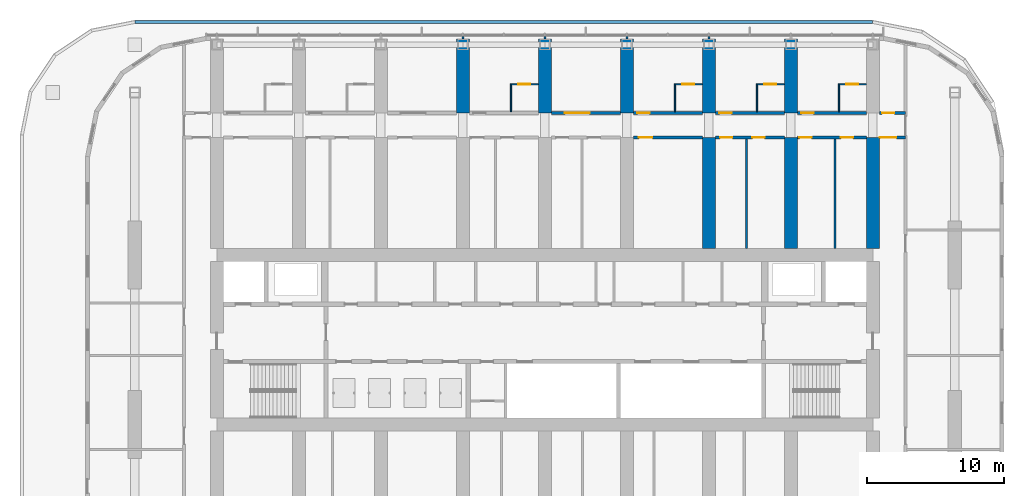
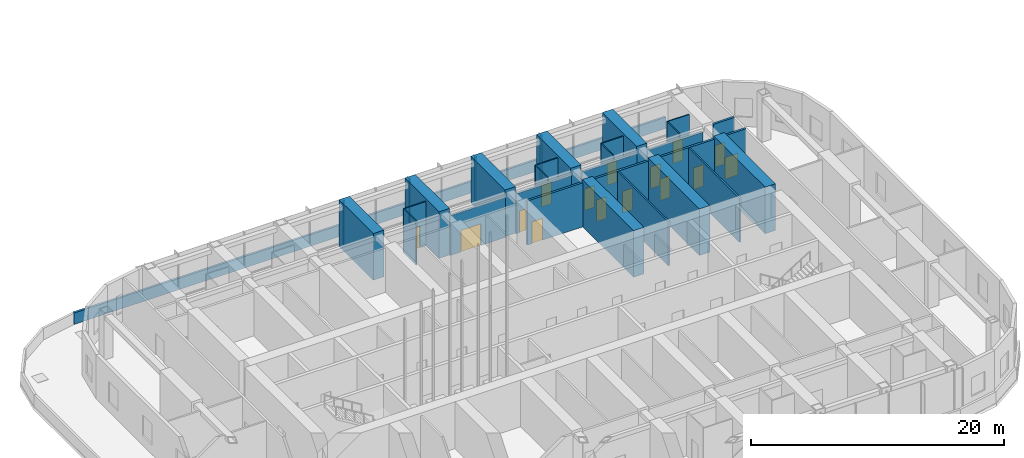
# One storey, part 16 of 32: 32 walls, 15 doors, 15 openings.
"""IFC4 building model written with IfcOpenShell, lengths in metres."""

import ifcopenshell
import ifcopenshell.guid

model = None  # the IFC model being written
_history = None  # IfcOwnerHistory: only IFC2X3 demands one
_inside = {}  # id of a spatial element -> (the spatial element, [elements in it])
_under = {}  # id of a project, library or spatial element -> (it, [spatial elements below it])
_declared = {}  # id of a project -> (the project, [libraries it declares])
_typed = {}  # id of a type object -> (the type object, [elements of that type])
_made_of = {}  # id of a material, layer set ... -> (it, [elements and type objects made of it])


def new_model(schema):
    """Start an empty IFC model of exactly this schema.

    Asked for "IFC4X3", IfcOpenShell would pick the latest addendum, in which some entities
    have other attributes; the version numbers below select the first issue.
    IFC2X3 requires an IfcOwnerHistory on every rooted entity: one is made here for all.
    """
    global model, _history
    if schema == "IFC4X3":
        model = ifcopenshell.file(schema_version=(4, 3, 0, 0))
    else:
        model = ifcopenshell.file(schema=schema)
    _inside.clear()
    _under.clear()
    _declared.clear()
    _typed.clear()
    _made_of.clear()
    _history = None
    if model.schema == "IFC2X3":
        org = make("IfcOrganization", Name="unknown")
        user = make(
            "IfcPersonAndOrganization",
            ThePerson=make("IfcPerson", FamilyName="unknown"),
            TheOrganization=org,
        )
        app = make(
            "IfcApplication",
            ApplicationDeveloper=org,
            Version="unknown",
            ApplicationFullName="unknown",
            ApplicationIdentifier="unknown",
        )
        _history = make(
            "IfcOwnerHistory",
            OwningUser=user,
            OwningApplication=app,
            ChangeAction="ADDED",
            CreationDate=0,
        )
    return model


def make(cls, **values):
    """One entity of the class cls with the attributes given. An attribute that is None is left unset."""
    return model.create_entity(
        cls, **{name: value for name, value in values.items() if value is not None}
    )


def rooted(cls, **values):
    """An entity with a GlobalId (a new one), such as an element, a storey or a relation."""
    return make(cls, GlobalId=ifcopenshell.guid.new(), OwnerHistory=_history, **values)


def si_unit(unit_type, name, prefix=None):
    """IfcSIUnit, for example si_unit("LENGTHUNIT", "METRE", prefix="MILLI")."""
    return make("IfcSIUnit", UnitType=unit_type, Prefix=prefix, Name=name)


def assignment(units):
    """IfcUnitAssignment: the units of a project."""
    return None if units is None else make("IfcUnitAssignment", Units=units)


def point(xyz):
    """IfcCartesianPoint."""
    return None if xyz is None else make("IfcCartesianPoint", Coordinates=xyz)


def direction(xyz):
    """IfcDirection."""
    return None if xyz is None else make("IfcDirection", DirectionRatios=xyz)


def frame(location, z_axis=None, x_axis=None):
    """IfcAxis2Placement3D, a coordinate frame: its origin and axes. An axis left out is left unset."""
    return make(
        "IfcAxis2Placement3D",
        Location=point(location),
        Axis=direction(z_axis),
        RefDirection=direction(x_axis),
    )


def frame_2d(location, x_axis=None):
    """IfcAxis2Placement2D, a coordinate frame in the plane: its origin and x axis."""
    return make(
        "IfcAxis2Placement2D", Location=point(location), RefDirection=direction(x_axis)
    )


def origin():
    """The frame at (0, 0, 0) with its axes left unset."""
    return frame((0.0, 0.0, 0.0))


def place(relative_to, where):
    """IfcLocalPlacement: puts the frame where relative to a parent placement (None: the world)."""
    return make(
        "IfcLocalPlacement", PlacementRelTo=relative_to, RelativePlacement=where
    )


def context(
    kind, dimensions, precision=None, world=None, true_north=None, identifier=None
):
    """IfcGeometricRepresentationContext, for example the 3D "Model" context."""
    return make(
        "IfcGeometricRepresentationContext",
        ContextIdentifier=identifier,
        ContextType=kind,
        CoordinateSpaceDimension=dimensions,
        Precision=precision,
        WorldCoordinateSystem=world,
        TrueNorth=true_north,
    )


def subcontext(parent, identifier, kind, view, scale=None):
    """IfcGeometricRepresentationSubContext, for example "Body" below "Model"."""
    return make(
        "IfcGeometricRepresentationSubContext",
        ContextIdentifier=identifier,
        ContextType=kind,
        ParentContext=parent,
        TargetScale=scale,
        TargetView=view,
    )


def project(units=None, contexts=None):
    """IfcProject with its units and contexts."""
    return rooted(
        "IfcProject",
        Name="project",
        RepresentationContexts=contexts,
        UnitsInContext=assignment(units),
    )


def spatial(cls, under=None, at=None, **own):
    """A site, building, storey or space (cls), placed at a placement, below another one or the project."""
    s = rooted(cls, ObjectPlacement=at, **own)
    if under is not None:
        _under.setdefault(under.id(), (under, []))[1].append(s)
    return s


def polyline(points):
    """IfcPolyline through the points."""
    return make("IfcPolyline", Points=[point(p) for p in points])


def profile(cls, at=None, kind="AREA", **sizes):
    """A parametric profile (cls). Its sizes go by their IFC names, for example OverallWidth=200.0."""
    return make(cls, ProfileType=kind, Position=at, **sizes)


def rectangle(**sizes):
    """IfcRectangleProfileDef."""
    return profile("IfcRectangleProfileDef", **sizes)


def outline(outer, holes=None, kind="AREA"):
    """IfcArbitraryClosedProfileDef: a profile drawn as a closed curve; with holes, ...WithVoids."""
    if holes is None:
        return make("IfcArbitraryClosedProfileDef", ProfileType=kind, OuterCurve=outer)
    return make(
        "IfcArbitraryProfileDefWithVoids",
        ProfileType=kind,
        OuterCurve=outer,
        InnerCurves=holes,
    )


def extrude(swept, where, along, depth):
    """IfcExtrudedAreaSolid: the profile swept, set in the frame where, extruded along a direction by depth."""
    return make(
        "IfcExtrudedAreaSolid",
        SweptArea=swept,
        Position=where,
        ExtrudedDirection=direction(along),
        Depth=depth,
    )


def shape(context_of_items, identifier, shape_type, items):
    """IfcShapeRepresentation: the items that make up one representation, for example the "Body"."""
    return make(
        "IfcShapeRepresentation",
        ContextOfItems=context_of_items,
        RepresentationIdentifier=identifier,
        RepresentationType=shape_type,
        Items=items,
    )


def material(Name=None, Category=None):
    """IfcMaterial."""
    return make("IfcMaterial", Name=Name, Category=Category)


def layer(
    of_material, thickness, ventilated=None, Name=None, Category=None, Priority=None
):
    """IfcMaterialLayer: one layer of a wall or slab, of a material (None: an air gap)."""
    return make(
        "IfcMaterialLayer",
        Material=of_material,
        LayerThickness=thickness,
        IsVentilated=ventilated,
        Name=Name,
        Category=Category,
        Priority=Priority,
    )


def layer_set(layers, Name=None):
    """IfcMaterialLayerSet."""
    return make("IfcMaterialLayerSet", MaterialLayers=layers, LayerSetName=Name)


def made_of(thing, what):
    """Note that an element or type object is made of a material, layer set ...; save() writes the relation."""
    if what is not None:
        _made_of.setdefault(what.id(), (what, []))[1].append(thing)
    return thing


def type_object(cls, material=None, **own):
    """A type object (cls), such as IfcWallType, which elements share."""
    return made_of(rooted(cls, **own), material)


def element(
    cls,
    number,
    at=None,
    inside=None,
    cuts=None,
    type_object=None,
    material=None,
    context=None,
    identifier="Body",
    shape_type=None,
    held_by="IfcProductDefinitionShape",
    body=None,
    shapes=None,
    **own,
):
    """One element of the class cls, such as IfcWall. Its Tag is "e" and its number.

    at: its placement. inside: the storey or other place that contains it. cuts: it is an
    opening in that element (IfcRelVoidsElement). A single representation is given by context,
    identifier, shape_type and body (its items); several are given by shapes. held_by: the class
    of the entity that holds the representations. save() writes the other relations.
    """
    e = rooted(cls, Tag="e%d" % number, ObjectPlacement=at, **own)
    if body is not None:
        shapes = [shape(context, identifier, shape_type, body)]
    if shapes is not None:
        e.Representation = make(held_by, Representations=shapes)
    if inside is not None:
        _inside.setdefault(inside.id(), (inside, []))[1].append(e)
    if cuts is not None:
        rooted(
            "IfcRelVoidsElement", RelatingBuildingElement=cuts, RelatedOpeningElement=e
        )
    if type_object is not None:
        _typed.setdefault(type_object.id(), (type_object, []))[1].append(e)
    return made_of(e, material)


def fill(opening, filler):
    """IfcRelFillsElement: the door or window that sits in an opening."""
    return rooted(
        "IfcRelFillsElement",
        RelatingOpeningElement=opening,
        RelatedBuildingElement=filler,
    )


def aggregate(whole, parts):
    """IfcRelAggregates: a whole, such as a stair, and the parts it consists of."""
    return rooted("IfcRelAggregates", RelatingObject=whole, RelatedObjects=parts)


def save(model, path):
    """Write the relations noted so far, then the file.

    IfcRelAggregates (storeys below a building ...), IfcRelContainedInSpatialStructure (elements
    in a storey), IfcRelDefinesByType, IfcRelAssociatesMaterial and IfcRelDeclares: one each for
    every whole, place, type object, material and project.
    """
    for whole, parts in _under.values():
        aggregate(whole, parts)
    for where, things in _inside.values():
        rooted(
            "IfcRelContainedInSpatialStructure",
            RelatedElements=things,
            RelatingStructure=where,
        )
    for kind, things in _typed.values():
        rooted("IfcRelDefinesByType", RelatedObjects=things, RelatingType=kind)
    for what, things in _made_of.values():
        rooted("IfcRelAssociatesMaterial", RelatedObjects=things, RelatingMaterial=what)
    for by, libraries in _declared.values():
        rooted("IfcRelDeclares", RelatingContext=by, RelatedDefinitions=libraries)
    model.write(path)


model = new_model("IFC4")

# Units and contexts
model_context = context("Model", 3, precision=1e-05, world=origin(), true_north=direction((0.0, 1.0)))
body_context = subcontext(model_context, "Body", "Model", "MODEL_VIEW")
ifc_project = project(units=[si_unit("LENGTHUNIT", "METRE"), si_unit("AREAUNIT", "SQUARE_METRE"), si_unit("VOLUMEUNIT", "CUBIC_METRE"), si_unit("PLANEANGLEUNIT", "RADIAN"), si_unit("MASSUNIT", "GRAM", prefix="KILO")], contexts=[model_context])

# Site, building, storey
site_placement = place(None, origin())
site = spatial("IfcSite", under=ifc_project, at=site_placement, CompositionType="ELEMENT")
building_placement = place(site_placement, origin())
building = spatial("IfcBuilding", under=site, at=building_placement, Name="Orbita Commons", CompositionType="ELEMENT")
storey_placement = place(building_placement, frame((0.0, 0.0, 140.35009765625)))
storey = spatial("IfcBuildingStorey", under=building, at=storey_placement, Name="L34", CompositionType="ELEMENT", Elevation=140.35009765625)

# Wall, opening, door
ifc_material_1 = material(Name="Concrete blockwork", Category="masonry")
ifc_layer_1 = layer(ifc_material_1, 0.199951171875)
ifc_layer_set_1 = layer_set([ifc_layer_1], Name="Concrete blockwork")
wall_type_1 = type_object("IfcWallType", Name="Corridor wall 200 blockwork", PredefinedType="SOLIDWALL", material=ifc_layer_set_1)
wall_1_placement = place(storey_placement, frame((42.47509765625, 48.60009765625, 0.0), z_axis=(0.0, 0.0, 1.0), x_axis=(1.0, 0.0, 0.0)))
wall_1 = element("IfcWall", 1, at=wall_1_placement, inside=storey, type_object=wall_type_1, Name="Corridor wall 200 blockwork L34", PredefinedType="SOLIDWALL", context=body_context, shape_type="SweptSolid", body=[
    extrude(outline(polyline([(0.0, 0.0), (5.0498046875, 0.0), (5.050048828125, 3.849853515625), (0.0, 3.849853515625), (0.0, 0.0)])), frame((0.0, 0.10009765625, 0.0), z_axis=(0.0, -1.0, 0.0), x_axis=(1.0, 0.0, 0.0)), (0.0, 0.0, 1.0), 0.199951171875),
])
opening_1_placement = place(wall_1_placement, frame((1.0, 0.0, 0.0)))
opening_1 = element("IfcOpeningElement", 2, at=opening_1_placement, cuts=wall_1, Name="Opening D07", PredefinedType="OPENING", context=body_context, shape_type="SweptSolid", body=[
    extrude(rectangle(XDim=1.800048828125, YDim=2.10009765625, at=frame_2d((0.89990234375, 1.050048828125))), frame((0.0, 0.10986328125, 0.0), z_axis=(0.0, -1.0, 0.0), x_axis=(1.0, 0.0, 0.0)), (0.0, 0.0, 1.0), 0.219970703125),
])
ifc_material_2 = material(Name="Steel-faced fire door leaf", Category="steel")
door_type_1 = type_object("IfcDoorType", Name="Double corridor door 20 min 1800x2100", OperationType="DOUBLE_DOOR_SINGLE_SWING", PredefinedType="DOOR", material=ifc_material_2)
door_1_placement = place(opening_1_placement, origin())
door_1 = element("IfcDoor", 3, at=door_1_placement, inside=storey, type_object=door_type_1, Name="Workshop room L34-NF5 doors", OperationType="DOUBLE_DOOR_SINGLE_SWING", OverallHeight=2.10009765625, OverallWidth=1.800048828125, PredefinedType="DOOR", context=body_context, shape_type="SweptSolid", body=[
    extrude(rectangle(XDim=1.800048828125, YDim=2.10009765625, at=frame_2d((0.89990234375, 1.050048828125))), frame((0.0, 0.02490234375, 0.0), z_axis=(0.0, -1.0, 0.0), x_axis=(1.0, 0.0, 0.0)), (0.0, 0.0, 1.0), 0.050048828125),
])
fill(opening_1, door_1)

wall_2_placement = place(storey_placement, frame((48.47509765625, 48.60009765625, 0.0), z_axis=(0.0, 0.0, 1.0), x_axis=(1.0, 0.0, 0.0)))
wall_2 = element("IfcWall", 4, at=wall_2_placement, inside=storey, type_object=wall_type_1, Name="Corridor wall 200 blockwork L34", PredefinedType="SOLIDWALL", context=body_context, shape_type="SweptSolid", body=[
    extrude(outline(polyline([(0.0, 0.0), (5.0498046875, 0.0), (5.050048828125, 3.849853515625), (0.0, 3.849853515625), (0.0, 0.0)])), frame((0.0, 0.10009765625, 0.0), z_axis=(0.0, -1.0, 0.0), x_axis=(1.0, 0.0, 0.0)), (0.0, 0.0, 1.0), 0.199951171875),
])
opening_2_placement = place(wall_2_placement, frame((0.300048828125, 0.0, 0.0)))
opening_2 = element("IfcOpeningElement", 5, at=opening_2_placement, cuts=wall_2, Name="Opening D11", PredefinedType="OPENING", context=body_context, shape_type="SweptSolid", body=[
    extrude(rectangle(XDim=0.89990234375, YDim=2.10009765625, at=frame_2d((0.449951171875, 1.050048828125))), frame((0.0, 0.10986328125, 0.0), z_axis=(0.0, -1.0, 0.0), x_axis=(1.0, 0.0, 0.0)), (0.0, 0.0, 1.0), 0.219970703125),
])
ifc_material_3 = material(Name="Steel-faced fire door leaf", Category="steel")
door_type_2 = type_object("IfcDoorType", Name="Corridor door 20 min 900x2100", OperationType="SINGLE_SWING_LEFT", PredefinedType="DOOR", material=ifc_material_3)
door_2_placement = place(opening_2_placement, origin())
door_2 = element("IfcDoor", 6, at=door_2_placement, inside=storey, type_object=door_type_2, Name="Guest studio with kitchenette L34-NF6 door", OperationType="SINGLE_SWING_LEFT", OverallHeight=2.10009765625, OverallWidth=0.89990234375, PredefinedType="DOOR", context=body_context, shape_type="SweptSolid", body=[
    extrude(rectangle(XDim=0.89990234375, YDim=2.10009765625, at=frame_2d((0.449951171875, 1.050048828125))), frame((0.0, 0.02490234375, 0.0), z_axis=(0.0, -1.0, 0.0), x_axis=(1.0, 0.0, 0.0)), (0.0, 0.0, 1.0), 0.050048828125),
])
fill(opening_2, door_2)

wall_3_placement = place(storey_placement, frame((54.47509765625, 48.60009765625, 0.0), z_axis=(0.0, 0.0, 1.0), x_axis=(1.0, 0.0, 0.0)))
wall_3 = element("IfcWall", 7, at=wall_3_placement, inside=storey, type_object=wall_type_1, Name="Corridor wall 200 blockwork L34", PredefinedType="SOLIDWALL", context=body_context, shape_type="SweptSolid", body=[
    extrude(outline(polyline([(0.0, 0.0), (5.0498046875, 0.0), (5.050048828125, 3.849853515625), (0.0, 3.849853515625), (0.0, 0.0)])), frame((0.0, 0.10009765625, 0.0), z_axis=(0.0, -1.0, 0.0), x_axis=(1.0, 0.0, 0.0)), (0.0, 0.0, 1.0), 0.199951171875),
])
opening_3_placement = place(wall_3_placement, frame((0.300048828125, 0.0, 0.0)))
opening_3 = element("IfcOpeningElement", 8, at=opening_3_placement, cuts=wall_3, Name="Opening D11", PredefinedType="OPENING", context=body_context, shape_type="SweptSolid", body=[
    extrude(rectangle(XDim=0.89990234375, YDim=2.10009765625, at=frame_2d((0.449951171875, 1.050048828125))), frame((0.0, 0.10986328125, 0.0), z_axis=(0.0, -1.0, 0.0), x_axis=(1.0, 0.0, 0.0)), (0.0, 0.0, 1.0), 0.219970703125),
])
door_3_placement = place(opening_3_placement, origin())
door_3 = element("IfcDoor", 9, at=door_3_placement, inside=storey, type_object=door_type_2, Name="Guest studio with kitchenette L34-NF7 door", OperationType="SINGLE_SWING_LEFT", OverallHeight=2.10009765625, OverallWidth=0.89990234375, PredefinedType="DOOR", context=body_context, shape_type="SweptSolid", body=[
    extrude(rectangle(XDim=0.89990234375, YDim=2.10009765625, at=frame_2d((0.449951171875, 1.050048828125))), frame((0.0, 0.02490234375, 0.0), z_axis=(0.0, -1.0, 0.0), x_axis=(1.0, 0.0, 0.0)), (0.0, 0.0, 1.0), 0.050048828125),
])
fill(opening_3, door_3)

wall_4_placement = place(storey_placement, frame((60.47509765625, 48.60009765625, 0.0), z_axis=(0.0, 0.0, 1.0), x_axis=(1.0, 0.0, 0.0)))
wall_4 = element("IfcWall", 10, at=wall_4_placement, inside=storey, type_object=wall_type_1, Name="Corridor wall 200 blockwork L34", PredefinedType="SOLIDWALL", context=body_context, shape_type="SweptSolid", body=[
    extrude(outline(polyline([(0.0, 0.0), (5.0498046875, 0.0), (5.050048828125, 3.849853515625), (0.0, 3.849853515625), (0.0, 0.0)])), frame((0.0, 0.10009765625, 0.0), z_axis=(0.0, -1.0, 0.0), x_axis=(1.0, 0.0, 0.0)), (0.0, 0.0, 1.0), 0.199951171875),
])
opening_4_placement = place(wall_4_placement, frame((0.300048828125, 0.0, 0.0)))
opening_4 = element("IfcOpeningElement", 11, at=opening_4_placement, cuts=wall_4, Name="Opening D11", PredefinedType="OPENING", context=body_context, shape_type="SweptSolid", body=[
    extrude(rectangle(XDim=0.89990234375, YDim=2.10009765625, at=frame_2d((0.449951171875, 1.050048828125))), frame((0.0, 0.10986328125, 0.0), z_axis=(0.0, -1.0, 0.0), x_axis=(1.0, 0.0, 0.0)), (0.0, 0.0, 1.0), 0.219970703125),
])
door_4_placement = place(opening_4_placement, origin())
door_4 = element("IfcDoor", 12, at=door_4_placement, inside=storey, type_object=door_type_2, Name="Guest studio with kitchenette L34-NF8 door", OperationType="SINGLE_SWING_LEFT", OverallHeight=2.10009765625, OverallWidth=0.89990234375, PredefinedType="DOOR", context=body_context, shape_type="SweptSolid", body=[
    extrude(rectangle(XDim=0.89990234375, YDim=2.10009765625, at=frame_2d((0.449951171875, 1.050048828125))), frame((0.0, 0.02490234375, 0.0), z_axis=(0.0, -1.0, 0.0), x_axis=(1.0, 0.0, 0.0)), (0.0, 0.0, 1.0), 0.050048828125),
])
fill(opening_4, door_4)

wall_5_placement = place(storey_placement, frame((66.47509765625, 48.60009765625, 0.0), z_axis=(0.0, 0.0, 1.0), x_axis=(1.0, 0.0, 0.0)))
wall_5 = element("IfcWall", 13, at=wall_5_placement, inside=storey, type_object=wall_type_1, Name="Corridor wall 200 blockwork L34", PredefinedType="SOLIDWALL", context=body_context, shape_type="SweptSolid", body=[
    extrude(rectangle(XDim=1.9248046875, YDim=0.199951171875, at=frame_2d((0.96240234375, 0.0))), origin(), (0.0, 0.0, 1.0), 4.25),
])
opening_5_placement = place(wall_5_placement, frame((0.199951171875, 0.0, 0.0)))
opening_5 = element("IfcOpeningElement", 14, at=opening_5_placement, cuts=wall_5, Name="Opening D05", PredefinedType="OPENING", context=body_context, shape_type="SweptSolid", body=[
    extrude(rectangle(XDim=0.89990234375, YDim=2.10009765625, at=frame_2d((0.449951171875, 1.050048828125))), frame((0.0, 0.10986328125, 0.0), z_axis=(0.0, -1.0, 0.0), x_axis=(1.0, 0.0, 0.0)), (0.0, 0.0, 1.0), 0.219970703125),
])
ifc_material_4 = material(Name="Steel-faced fire door leaf", Category="steel")
door_type_3 = type_object("IfcDoorType", Name="Service door 20 min 900x2100", OperationType="SINGLE_SWING_LEFT", PredefinedType="DOOR", material=ifc_material_4)
door_5_placement = place(opening_5_placement, origin())
door_5 = element("IfcDoor", 15, at=door_5_placement, inside=storey, type_object=door_type_3, Name="Linen store L34-KEN door", OperationType="SINGLE_SWING_LEFT", OverallHeight=2.10009765625, OverallWidth=0.89990234375, PredefinedType="DOOR", context=body_context, shape_type="SweptSolid", body=[
    extrude(rectangle(XDim=0.89990234375, YDim=2.10009765625, at=frame_2d((0.449951171875, 1.050048828125))), frame((0.0, 0.02490234375, 0.0), z_axis=(0.0, -1.0, 0.0), x_axis=(1.0, 0.0, 0.0)), (0.0, 0.0, 1.0), 0.050048828125),
])
fill(opening_5, door_5)

ifc_material_5 = material(Name="Hollow concrete block 200", Category="concrete")
ifc_layer_2 = layer(ifc_material_5, 0.199951171875)
ifc_layer_set_2 = layer_set([ifc_layer_2], Name="Hollow concrete block 200")
wall_type_2 = type_object("IfcWallType", Name="Corridor wall 200 hollow concrete block", PredefinedType="SOLIDWALL", material=ifc_layer_set_2)
wall_6_placement = place(storey_placement, frame((48.47509765625, 46.800048828125, 0.0), z_axis=(0.0, 0.0, 1.0), x_axis=(1.0, 0.0, 0.0)))
wall_6 = element("IfcWall", 16, at=wall_6_placement, inside=storey, type_object=wall_type_2, Name="Corridor wall 200 hollow concrete block L34", PredefinedType="SOLIDWALL", context=body_context, shape_type="SweptSolid", body=[
    extrude(rectangle(XDim=5.0498046875, YDim=0.199951171875, at=frame_2d((2.52490234375, 0.0))), origin(), (0.0, 0.0, 1.0), 4.25),
])
opening_6_placement = place(wall_6_placement, frame((0.39990234375, 0.0, 0.0)))
opening_6 = element("IfcOpeningElement", 17, at=opening_6_placement, cuts=wall_6, Name="Opening D06", PredefinedType="OPENING", context=body_context, shape_type="SweptSolid", body=[
    extrude(rectangle(XDim=1.0, YDim=2.10009765625, at=frame_2d((0.5, 1.050048828125))), frame((0.0, 0.10986328125, 0.0), z_axis=(0.0, -1.0, 0.0), x_axis=(1.0, 0.0, 0.0)), (0.0, 0.0, 1.0), 0.219970703125),
])
ifc_material_6 = material(Name="Steel-faced fire door leaf", Category="steel")
door_type_4 = type_object("IfcDoorType", Name="Corridor door 20 min 1000x2100", OperationType="SINGLE_SWING_LEFT", PredefinedType="DOOR", material=ifc_material_6)
door_6_placement = place(opening_6_placement, origin())
door_6 = element("IfcDoor", 18, at=door_6_placement, inside=storey, type_object=door_type_4, Name="Store L34-BDN48 door", OperationType="SINGLE_SWING_LEFT", OverallHeight=2.10009765625, OverallWidth=1.0, PredefinedType="DOOR", context=body_context, shape_type="SweptSolid", body=[
    extrude(rectangle(XDim=1.0, YDim=2.10009765625, at=frame_2d((0.5, 1.050048828125))), frame((0.0, 0.02490234375, 0.0), z_axis=(0.0, -1.0, 0.0), x_axis=(1.0, 0.0, 0.0)), (0.0, 0.0, 1.0), 0.050048828125),
])
fill(opening_6, door_6)

# Wall, openings, doors
wall_7_placement = place(storey_placement, frame((54.47509765625, 46.800048828125, 0.0), z_axis=(0.0, 0.0, 1.0), x_axis=(1.0, 0.0, 0.0)))
wall_7 = element("IfcWall", 19, at=wall_7_placement, inside=storey, type_object=wall_type_2, Name="Corridor wall 200 hollow concrete block L34", PredefinedType="SOLIDWALL", context=body_context, shape_type="SweptSolid", body=[
    extrude(rectangle(XDim=5.0498046875, YDim=0.199951171875, at=frame_2d((2.52490234375, 0.0))), origin(), (0.0, 0.0, 1.0), 4.25),
])
opening_7_placement = place(wall_7_placement, frame((0.35009765625, 0.0, 0.0)))
opening_7 = element("IfcOpeningElement", 20, at=opening_7_placement, cuts=wall_7, Name="Opening D11", PredefinedType="OPENING", context=body_context, shape_type="SweptSolid", body=[
    extrude(rectangle(XDim=0.89990234375, YDim=2.10009765625, at=frame_2d((0.449951171875, 1.050048828125))), frame((0.0, 0.10986328125, 0.0), z_axis=(0.0, -1.0, 0.0), x_axis=(1.0, 0.0, 0.0)), (0.0, 0.0, 1.0), 0.219970703125),
])
opening_8_placement = place(wall_7_placement, frame((2.705078125, 0.0, 0.0)))
opening_8 = element("IfcOpeningElement", 21, at=opening_8_placement, cuts=wall_7, Name="Opening D11", PredefinedType="OPENING", context=body_context, shape_type="SweptSolid", body=[
    extrude(rectangle(XDim=0.89990234375, YDim=2.10009765625, at=frame_2d((0.449951171875, 1.050048828125))), frame((0.0, 0.10986328125, 0.0), z_axis=(0.0, -1.0, 0.0), x_axis=(1.0, 0.0, 0.0)), (0.0, 0.0, 1.0), 0.219970703125),
])
door_7_placement = place(opening_7_placement, origin())
door_7 = element("IfcDoor", 22, at=door_7_placement, inside=storey, type_object=door_type_2, Name="Water heater cupboard L34-BDN54n door", OperationType="SINGLE_SWING_LEFT", OverallHeight=2.10009765625, OverallWidth=0.89990234375, PredefinedType="DOOR", context=body_context, shape_type="SweptSolid", body=[
    extrude(rectangle(XDim=0.89990234375, YDim=2.10009765625, at=frame_2d((0.449951171875, 1.050048828125))), frame((0.0, 0.02490234375, 0.0), z_axis=(0.0, -1.0, 0.0), x_axis=(1.0, 0.0, 0.0)), (0.0, 0.0, 1.0), 0.050048828125),
])
fill(opening_7, door_7)
door_8_placement = place(opening_8_placement, origin())
door_8 = element("IfcDoor", 23, at=door_8_placement, inside=storey, type_object=door_type_2, Name="Cleaners store L34-BDN54 door", OperationType="SINGLE_SWING_LEFT", OverallHeight=2.10009765625, OverallWidth=0.89990234375, PredefinedType="DOOR", context=body_context, shape_type="SweptSolid", body=[
    extrude(rectangle(XDim=0.89990234375, YDim=2.10009765625, at=frame_2d((0.449951171875, 1.050048828125))), frame((0.0, 0.02490234375, 0.0), z_axis=(0.0, -1.0, 0.0), x_axis=(1.0, 0.0, 0.0)), (0.0, 0.0, 1.0), 0.050048828125),
])
fill(opening_8, door_8)

wall_8_placement = place(storey_placement, frame((60.47509765625, 46.800048828125, 0.0), z_axis=(0.0, 0.0, 1.0), x_axis=(1.0, 0.0, 0.0)))
wall_8 = element("IfcWall", 24, at=wall_8_placement, inside=storey, type_object=wall_type_2, Name="Corridor wall 200 hollow concrete block L34", PredefinedType="SOLIDWALL", context=body_context, shape_type="SweptSolid", body=[
    extrude(rectangle(XDim=5.0498046875, YDim=0.199951171875, at=frame_2d((2.52490234375, 0.0))), origin(), (0.0, 0.0, 1.0), 4.25),
])
opening_9_placement = place(wall_8_placement, frame((0.14990234375, 0.0, 0.0)))
opening_9 = element("IfcOpeningElement", 25, at=opening_9_placement, cuts=wall_8, Name="Opening D11", PredefinedType="OPENING", context=body_context, shape_type="SweptSolid", body=[
    extrude(rectangle(XDim=0.89990234375, YDim=2.10009765625, at=frame_2d((0.449951171875, 1.050048828125))), frame((0.0, 0.10986328125, 0.0), z_axis=(0.0, -1.0, 0.0), x_axis=(1.0, 0.0, 0.0)), (0.0, 0.0, 1.0), 0.219970703125),
])
opening_10_placement = place(wall_8_placement, frame((3.18505859375, 0.0, 0.0)))
opening_10 = element("IfcOpeningElement", 26, at=opening_10_placement, cuts=wall_8, Name="Opening D11", PredefinedType="OPENING", context=body_context, shape_type="SweptSolid", body=[
    extrude(rectangle(XDim=0.89990234375, YDim=2.10009765625, at=frame_2d((0.449951171875, 1.050048828125))), frame((0.0, 0.10986328125, 0.0), z_axis=(0.0, -1.0, 0.0), x_axis=(1.0, 0.0, 0.0)), (0.0, 0.0, 1.0), 0.219970703125),
])
door_9_placement = place(opening_9_placement, origin())
door_9 = element("IfcDoor", 27, at=door_9_placement, inside=storey, type_object=door_type_2, Name="Electrical and data room L34-BDN60 door", OperationType="SINGLE_SWING_LEFT", OverallHeight=2.10009765625, OverallWidth=0.89990234375, PredefinedType="DOOR", context=body_context, shape_type="SweptSolid", body=[
    extrude(rectangle(XDim=0.89990234375, YDim=2.10009765625, at=frame_2d((0.449951171875, 1.050048828125))), frame((0.0, 0.02490234375, 0.0), z_axis=(0.0, -1.0, 0.0), x_axis=(1.0, 0.0, 0.0)), (0.0, 0.0, 1.0), 0.050048828125),
])
fill(opening_9, door_9)
door_10_placement = place(opening_10_placement, origin())
door_10 = element("IfcDoor", 28, at=door_10_placement, inside=storey, type_object=door_type_2, Name="Battery and UPS room L34-BDN60n door", OperationType="SINGLE_SWING_LEFT", OverallHeight=2.10009765625, OverallWidth=0.89990234375, PredefinedType="DOOR", context=body_context, shape_type="SweptSolid", body=[
    extrude(rectangle(XDim=0.89990234375, YDim=2.10009765625, at=frame_2d((0.449951171875, 1.050048828125))), frame((0.0, 0.02490234375, 0.0), z_axis=(0.0, -1.0, 0.0), x_axis=(1.0, 0.0, 0.0)), (0.0, 0.0, 1.0), 0.050048828125),
])
fill(opening_10, door_10)

# Wall, opening, door
wall_9_placement = place(storey_placement, frame((66.47509765625, 46.800048828125, 0.0), z_axis=(0.0, 0.0, 1.0), x_axis=(1.0, 0.0, 0.0)))
wall_9 = element("IfcWall", 29, at=wall_9_placement, inside=storey, type_object=wall_type_2, Name="Corridor wall 200 hollow concrete block L34", PredefinedType="SOLIDWALL", context=body_context, shape_type="SweptSolid", body=[
    extrude(rectangle(XDim=1.9248046875, YDim=0.199951171875, at=frame_2d((0.96240234375, 0.0))), origin(), (0.0, 0.0, 1.0), 4.25),
])
opening_11_placement = place(wall_9_placement, frame((0.050048828125, 0.0, 0.0)))
opening_11 = element("IfcOpeningElement", 30, at=opening_11_placement, cuts=wall_9, Name="Opening D12", PredefinedType="OPENING", context=body_context, shape_type="SweptSolid", body=[
    extrude(rectangle(XDim=1.199951171875, YDim=2.10009765625, at=frame_2d((0.60009765625, 1.050048828125))), frame((0.0, 0.10986328125, 0.0), z_axis=(0.0, -1.0, 0.0), x_axis=(1.0, 0.0, 0.0)), (0.0, 0.0, 1.0), 0.219970703125),
])
ifc_material_7 = material(Name="Steel-faced fire door leaf", Category="steel")
door_type_5 = type_object("IfcDoorType", Name="Double corridor door 20 min 1200x2100", OperationType="DOUBLE_DOOR_SINGLE_SWING", PredefinedType="DOOR", material=ifc_material_7)
door_11_placement = place(opening_11_placement, origin())
door_11 = element("IfcDoor", 31, at=door_11_placement, inside=storey, type_object=door_type_5, Name="Cross corridor doors", OperationType="DOUBLE_DOOR_SINGLE_SWING", OverallHeight=2.10009765625, OverallWidth=1.199951171875, PredefinedType="DOOR", context=body_context, shape_type="SweptSolid", body=[
    extrude(rectangle(XDim=1.199951171875, YDim=2.10009765625, at=frame_2d((0.60009765625, 1.050048828125))), frame((0.0, 0.02490234375, 0.0), z_axis=(0.0, -1.0, 0.0), x_axis=(1.0, 0.0, 0.0)), (0.0, 0.0, 1.0), 0.050048828125),
])
fill(opening_11, door_11)

# Walls
ifc_material_8 = material(Name="Concrete C50/60", Category="concrete")
ifc_layer_3 = layer(ifc_material_8, 0.949951171875)
ifc_layer_set_3 = layer_set([ifc_layer_3], Name="Concrete C50/60")
wall_type_3 = type_object("IfcWallType", Name="Cross wall 950 C50/60", PredefinedType="SHEAR", material=ifc_layer_set_3)
for number, where, z_axis, x_axis, name in (
    (32, (36.0, 48.60009765625, 0.0), (0.0, 0.0, 1.0), (0.0, 1.0, 0.0), "Cross wall 7 north outer L34"),
    (33, (42.0, 48.60009765625, 0.0), (0.0, 0.0, 1.0), (0.0, 1.0, 0.0), "Cross wall 8 north outer L34"),
    (34, (48.0, 48.60009765625, 0.0), (0.0, 0.0, 1.0), (0.0, 1.0, 0.0), "Cross wall 9 north outer L34"),
    (35, (54.0, 48.60009765625, 0.0), (0.0, 0.0, 1.0), (0.0, 1.0, 0.0), "Cross wall 10 north outer L34"),
):
    element("IfcWall", number, at=place(storey_placement, frame(where, z_axis=z_axis, x_axis=x_axis)), inside=storey, type_object=wall_type_3, Name=name, PredefinedType="SHEAR", context=body_context, shape_type="SweptSolid", body=[
        extrude(rectangle(XDim=5.39990234375, YDim=0.949951171875, at=frame_2d((2.699951171875, 0.0))), origin(), (0.0, 0.0, 1.0), 4.5),
    ])
wall_10_placement = place(storey_placement, frame((54.0, 38.675048828125, 0.0), z_axis=(0.0, 0.0, 1.0), x_axis=(0.0, 1.0, 0.0)))
element("IfcWall", 36, at=wall_10_placement, inside=storey, type_object=wall_type_3, Name="Cross wall 10 north inner L34", PredefinedType="SHEAR", context=body_context, shape_type="SweptSolid", body=[
    extrude(rectangle(XDim=8.125, YDim=0.949951171875, at=frame_2d((4.0625, 0.0))), origin(), (0.0, 0.0, 1.0), 4.5),
])
wall_11_placement = place(storey_placement, frame((60.0, 48.60009765625, 0.0), z_axis=(0.0, 0.0, 1.0), x_axis=(0.0, 1.0, 0.0)))
element("IfcWall", 37, at=wall_11_placement, inside=storey, type_object=wall_type_3, Name="Cross wall 11 north outer L34", PredefinedType="SHEAR", context=body_context, shape_type="SweptSolid", body=[
    extrude(rectangle(XDim=5.39990234375, YDim=0.949951171875, at=frame_2d((2.699951171875, 0.0))), origin(), (0.0, 0.0, 1.0), 4.5),
])
for number, where, z_axis, x_axis, name in (
    (38, (60.0, 38.675048828125, 0.0), (0.0, 0.0, 1.0), (0.0, 1.0, 0.0), "Cross wall 11 north inner L34"),
    (39, (66.0, 38.675048828125, 0.0), (0.0, 0.0, 1.0), (0.0, 1.0, 0.0), "Cross wall 12 north inner L34"),
):
    element("IfcWall", number, at=place(storey_placement, frame(where, z_axis=z_axis, x_axis=x_axis)), inside=storey, type_object=wall_type_3, Name=name, PredefinedType="SHEAR", context=body_context, shape_type="SweptSolid", body=[
        extrude(rectangle(XDim=8.125, YDim=0.949951171875, at=frame_2d((4.0625, 0.0))), origin(), (0.0, 0.0, 1.0), 4.5),
    ])

# Wall, opening, door
ifc_material_9 = material(Name="Moisture-resistant plasterboard on steel studs", Category="steel")
ifc_layer_4 = layer(ifc_material_9, 0.10009765625)
ifc_layer_set_4 = layer_set([ifc_layer_4], Name="Moisture-resistant plasterboard on steel studs")
wall_type_4 = type_object("IfcWallType", Name="En-suite partition 100", PredefinedType="PARTITIONING", material=ifc_layer_set_4)
wall_12_placement = place(storey_placement, frame((39.47509765625, 50.699951171875, 0.0), z_axis=(0.0, 0.0, 1.0), x_axis=(1.0, 0.0, 0.0)))
wall_12 = element("IfcWall", 40, at=wall_12_placement, inside=storey, type_object=wall_type_4, Name="En-suite partition 100 L34", PredefinedType="PARTITIONING", context=body_context, shape_type="SweptSolid", body=[
    extrude(rectangle(XDim=2.0498046875, YDim=0.10009765625, at=frame_2d((1.02490234375, 0.0))), origin(), (0.0, 0.0, 1.0), 4.25),
])
opening_12_placement = place(wall_12_placement, frame((0.574951171875, 0.0, 0.0)))
opening_12 = element("IfcOpeningElement", 41, at=opening_12_placement, cuts=wall_12, Name="Opening D09", PredefinedType="OPENING", context=body_context, shape_type="SweptSolid", body=[
    extrude(rectangle(XDim=0.89990234375, YDim=2.10009765625, at=frame_2d((0.449951171875, 1.050048828125))), frame((0.0, 0.06005859375, 0.0), z_axis=(0.0, -1.0, 0.0), x_axis=(1.0, 0.0, 0.0)), (0.0, 0.0, 1.0), 0.1201171875),
])
ifc_material_10 = material(Name="Laminated timber door leaf", Category="wood")
door_type_6 = type_object("IfcDoorType", Name="En-suite door 900x2100", OperationType="SINGLE_SWING_RIGHT", PredefinedType="DOOR", material=ifc_material_10)
door_12_placement = place(opening_12_placement, origin())
door_12 = element("IfcDoor", 42, at=door_12_placement, inside=storey, type_object=door_type_6, Name="En-suite L34-NF4 door", OperationType="SINGLE_SWING_RIGHT", OverallHeight=2.10009765625, OverallWidth=0.89990234375, PredefinedType="DOOR", context=body_context, shape_type="SweptSolid", body=[
    extrude(rectangle(XDim=0.89990234375, YDim=2.10009765625, at=frame_2d((0.449951171875, 1.050048828125))), frame((0.0, 0.02490234375, 0.0), z_axis=(0.0, -1.0, 0.0), x_axis=(1.0, 0.0, 0.0)), (0.0, 0.0, 1.0), 0.050048828125),
])
fill(opening_12, door_12)

# Wall
wall_13_placement = place(storey_placement, frame((39.52490234375, 50.64990234375, 0.0), z_axis=(0.0, 0.0, 1.0), x_axis=(0.0, -1.0, 0.0)))
element("IfcWall", 43, at=wall_13_placement, inside=storey, type_object=wall_type_4, Name="En-suite partition 100 L34", PredefinedType="PARTITIONING", context=body_context, shape_type="SweptSolid", body=[
    extrude(outline(polyline([(0.0, 0.0), (1.949951171875, 0.0), (1.949951171875, 3.849853515625), (1.902099609375, 3.849853515625), (1.89990234375, 4.25), (0.0, 4.25), (0.0, 0.0)])), frame((0.0, 0.050048828125, 0.0), z_axis=(0.0, -1.0, 0.0), x_axis=(1.0, 0.0, 0.0)), (0.0, 0.0, 1.0), 0.10009765625),
])

# Wall, opening, door
wall_14_placement = place(storey_placement, frame((51.47509765625, 50.699951171875, 0.0), z_axis=(0.0, 0.0, 1.0), x_axis=(1.0, 0.0, 0.0)))
wall_14 = element("IfcWall", 44, at=wall_14_placement, inside=storey, type_object=wall_type_4, Name="En-suite partition 100 L34", PredefinedType="PARTITIONING", context=body_context, shape_type="SweptSolid", body=[
    extrude(rectangle(XDim=2.0498046875, YDim=0.10009765625, at=frame_2d((1.02490234375, 0.0))), origin(), (0.0, 0.0, 1.0), 4.25),
])
opening_13_placement = place(wall_14_placement, frame((0.574951171875, 0.0, 0.0)))
opening_13 = element("IfcOpeningElement", 45, at=opening_13_placement, cuts=wall_14, Name="Opening D09", PredefinedType="OPENING", context=body_context, shape_type="SweptSolid", body=[
    extrude(rectangle(XDim=0.89990234375, YDim=2.10009765625, at=frame_2d((0.449951171875, 1.050048828125))), frame((0.0, 0.06005859375, 0.0), z_axis=(0.0, -1.0, 0.0), x_axis=(1.0, 0.0, 0.0)), (0.0, 0.0, 1.0), 0.1201171875),
])
door_13_placement = place(opening_13_placement, origin())
door_13 = element("IfcDoor", 46, at=door_13_placement, inside=storey, type_object=door_type_6, Name="En-suite L34-NF6 door", OperationType="SINGLE_SWING_RIGHT", OverallHeight=2.10009765625, OverallWidth=0.89990234375, PredefinedType="DOOR", context=body_context, shape_type="SweptSolid", body=[
    extrude(rectangle(XDim=0.89990234375, YDim=2.10009765625, at=frame_2d((0.449951171875, 1.050048828125))), frame((0.0, 0.02490234375, 0.0), z_axis=(0.0, -1.0, 0.0), x_axis=(1.0, 0.0, 0.0)), (0.0, 0.0, 1.0), 0.050048828125),
])
fill(opening_13, door_13)

# Wall
wall_15_placement = place(storey_placement, frame((51.52490234375, 50.64990234375, 0.0), z_axis=(0.0, 0.0, 1.0), x_axis=(0.0, -1.0, 0.0)))
element("IfcWall", 47, at=wall_15_placement, inside=storey, type_object=wall_type_4, Name="En-suite partition 100 L34", PredefinedType="PARTITIONING", context=body_context, shape_type="SweptSolid", body=[
    extrude(outline(polyline([(0.0, 0.0), (1.949951171875, 0.0), (1.949951171875, 3.849853515625), (1.902099609375, 3.849853515625), (1.89990234375, 4.25), (0.0, 4.25), (0.0, 0.0)])), frame((0.0, 0.050048828125, 0.0), z_axis=(0.0, -1.0, 0.0), x_axis=(1.0, 0.0, 0.0)), (0.0, 0.0, 1.0), 0.10009765625),
])

# Wall, opening, door
wall_16_placement = place(storey_placement, frame((57.47509765625, 50.699951171875, 0.0), z_axis=(0.0, 0.0, 1.0), x_axis=(1.0, 0.0, 0.0)))
wall_16 = element("IfcWall", 48, at=wall_16_placement, inside=storey, type_object=wall_type_4, Name="En-suite partition 100 L34", PredefinedType="PARTITIONING", context=body_context, shape_type="SweptSolid", body=[
    extrude(rectangle(XDim=2.0498046875, YDim=0.10009765625, at=frame_2d((1.02490234375, 0.0))), origin(), (0.0, 0.0, 1.0), 4.25),
])
opening_14_placement = place(wall_16_placement, frame((0.574951171875, 0.0, 0.0)))
opening_14 = element("IfcOpeningElement", 49, at=opening_14_placement, cuts=wall_16, Name="Opening D09", PredefinedType="OPENING", context=body_context, shape_type="SweptSolid", body=[
    extrude(rectangle(XDim=0.89990234375, YDim=2.10009765625, at=frame_2d((0.449951171875, 1.050048828125))), frame((0.0, 0.06005859375, 0.0), z_axis=(0.0, -1.0, 0.0), x_axis=(1.0, 0.0, 0.0)), (0.0, 0.0, 1.0), 0.1201171875),
])
door_14_placement = place(opening_14_placement, origin())
door_14 = element("IfcDoor", 50, at=door_14_placement, inside=storey, type_object=door_type_6, Name="En-suite L34-NF7 door", OperationType="SINGLE_SWING_RIGHT", OverallHeight=2.10009765625, OverallWidth=0.89990234375, PredefinedType="DOOR", context=body_context, shape_type="SweptSolid", body=[
    extrude(rectangle(XDim=0.89990234375, YDim=2.10009765625, at=frame_2d((0.449951171875, 1.050048828125))), frame((0.0, 0.02490234375, 0.0), z_axis=(0.0, -1.0, 0.0), x_axis=(1.0, 0.0, 0.0)), (0.0, 0.0, 1.0), 0.050048828125),
])
fill(opening_14, door_14)

# Wall
wall_17_placement = place(storey_placement, frame((57.52490234375, 50.64990234375, 0.0), z_axis=(0.0, 0.0, 1.0), x_axis=(0.0, -1.0, 0.0)))
element("IfcWall", 51, at=wall_17_placement, inside=storey, type_object=wall_type_4, Name="En-suite partition 100 L34", PredefinedType="PARTITIONING", context=body_context, shape_type="SweptSolid", body=[
    extrude(outline(polyline([(0.0, 0.0), (1.949951171875, 0.0), (1.949951171875, 3.849853515625), (1.902099609375, 3.849853515625), (1.89990234375, 4.25), (0.0, 4.25), (0.0, 0.0)])), frame((0.0, 0.050048828125, 0.0), z_axis=(0.0, -1.0, 0.0), x_axis=(1.0, 0.0, 0.0)), (0.0, 0.0, 1.0), 0.10009765625),
])

# Wall, opening, door
wall_18_placement = place(storey_placement, frame((63.47509765625, 50.699951171875, 0.0), z_axis=(0.0, 0.0, 1.0), x_axis=(1.0, 0.0, 0.0)))
wall_18 = element("IfcWall", 52, at=wall_18_placement, inside=storey, type_object=wall_type_4, Name="En-suite partition 100 L34", PredefinedType="PARTITIONING", context=body_context, shape_type="SweptSolid", body=[
    extrude(rectangle(XDim=2.0498046875, YDim=0.10009765625, at=frame_2d((1.02490234375, 0.0))), origin(), (0.0, 0.0, 1.0), 4.25),
])
opening_15_placement = place(wall_18_placement, frame((0.574951171875, 0.0, 0.0)))
opening_15 = element("IfcOpeningElement", 53, at=opening_15_placement, cuts=wall_18, Name="Opening D09", PredefinedType="OPENING", context=body_context, shape_type="SweptSolid", body=[
    extrude(rectangle(XDim=0.89990234375, YDim=2.10009765625, at=frame_2d((0.449951171875, 1.050048828125))), frame((0.0, 0.06005859375, 0.0), z_axis=(0.0, -1.0, 0.0), x_axis=(1.0, 0.0, 0.0)), (0.0, 0.0, 1.0), 0.1201171875),
])
door_15_placement = place(opening_15_placement, origin())
door_15 = element("IfcDoor", 54, at=door_15_placement, inside=storey, type_object=door_type_6, Name="En-suite L34-NF8 door", OperationType="SINGLE_SWING_RIGHT", OverallHeight=2.10009765625, OverallWidth=0.89990234375, PredefinedType="DOOR", context=body_context, shape_type="SweptSolid", body=[
    extrude(rectangle(XDim=0.89990234375, YDim=2.10009765625, at=frame_2d((0.449951171875, 1.050048828125))), frame((0.0, 0.02490234375, 0.0), z_axis=(0.0, -1.0, 0.0), x_axis=(1.0, 0.0, 0.0)), (0.0, 0.0, 1.0), 0.050048828125),
])
fill(opening_15, door_15)

# Walls
wall_19_placement = place(storey_placement, frame((63.52490234375, 50.64990234375, 0.0), z_axis=(0.0, 0.0, 1.0), x_axis=(0.0, -1.0, 0.0)))
element("IfcWall", 55, at=wall_19_placement, inside=storey, type_object=wall_type_4, Name="En-suite partition 100 L34", PredefinedType="PARTITIONING", context=body_context, shape_type="SweptSolid", body=[
    extrude(outline(polyline([(0.0, 0.0), (1.949951171875, 0.0), (1.949951171875, 3.849853515625), (1.902099609375, 3.849853515625), (1.89990234375, 4.25), (0.0, 4.25), (0.0, 0.0)])), frame((0.0, 0.050048828125, 0.0), z_axis=(0.0, -1.0, 0.0), x_axis=(1.0, 0.0, 0.0)), (0.0, 0.0, 1.0), 0.10009765625),
])
ifc_material_11 = material(Name="Gypsum plasterboard on steel studs", Category="steel")
ifc_layer_5 = layer(ifc_material_11, 0.14990234375)
ifc_layer_set_5 = layer_set([ifc_layer_5], Name="Gypsum plasterboard on steel studs")
wall_type_5 = type_object("IfcWallType", Name="Partition 150 plasterboard", PredefinedType="PARTITIONING", material=ifc_layer_set_5)
for number, where, z_axis, x_axis, name in (
    (56, (56.7548828125, 38.675048828125, 0.0), (0.0, 0.0, 1.0), (0.0, 1.0, 0.0), "Partition 150 plasterboard L34"),
    (57, (63.235107421875, 38.675048828125, 0.0), (0.0, 0.0, 1.0), (0.0, 1.0, 0.0), "Partition 150 plasterboard L34"),
):
    element("IfcWall", number, at=place(storey_placement, frame(where, z_axis=z_axis, x_axis=x_axis)), inside=storey, type_object=wall_type_5, Name=name, PredefinedType="PARTITIONING", context=body_context, shape_type="SweptSolid", body=[
        extrude(rectangle(XDim=8.02490234375, YDim=0.14990234375, at=frame_2d((4.012451171875, 0.0))), origin(), (0.0, 0.0, 1.0), 4.25),
    ])
for number, where, z_axis, x_axis, name in (
    (58, (36.0, 54.0, 0.0), (0.0, 0.0, 1.0), (0.0, 1.0, 0.0), "Partition 150 plasterboard L34"),
    (59, (42.0, 54.0, 0.0), (0.0, 0.0, 1.0), (0.0, 1.0, 0.0), "Partition 150 plasterboard L34"),
    (60, (48.0, 54.0, 0.0), (0.0, 0.0, 1.0), (0.0, 1.0, 0.0), "Partition 150 plasterboard L34"),
    (61, (54.0, 54.0, 0.0), (0.0, 0.0, 1.0), (0.0, 1.0, 0.0), "Partition 150 plasterboard L34"),
):
    element("IfcWall", number, at=place(storey_placement, frame(where, z_axis=z_axis, x_axis=x_axis)), inside=storey, type_object=wall_type_5, Name=name, PredefinedType="PARTITIONING", context=body_context, shape_type="SweptSolid", body=[
        extrude(rectangle(XDim=0.18994140625, YDim=0.14990234375, at=frame_2d((0.094970703125, 0.0))), origin(), (0.0, 0.0, 1.0), 4.25),
    ])
ifc_material_12 = material(Name="Precast concrete C40/50, white board-marked finish", Category="concrete")
ifc_layer_6 = layer(ifc_material_12, 0.199951171875)
ifc_layer_set_6 = layer_set([ifc_layer_6], Name="Precast concrete C40/50, white board-marked finish")
wall_type_6 = type_object("IfcWallType", Name="Precast parapet 200", PredefinedType="PARAPET", material=ifc_layer_set_6)
wall_20_placement = place(storey_placement, frame((12.014892578125, 55.25, 0.0), z_axis=(0.0, 0.0, 1.0), x_axis=(1.0, 0.0, 0.0)))
element("IfcWall", 62, at=wall_20_placement, inside=storey, type_object=wall_type_6, Name="Parapet L34 1.14", PredefinedType="PARAPET", context=body_context, shape_type="SweptSolid", body=[
    extrude(rectangle(XDim=53.97021484375, YDim=0.199951171875, at=frame_2d((26.985107421875, 0.0))), origin(), (0.0, 0.0, 1.0), 1.099853515625),
])

save(model, "model.ifc")
